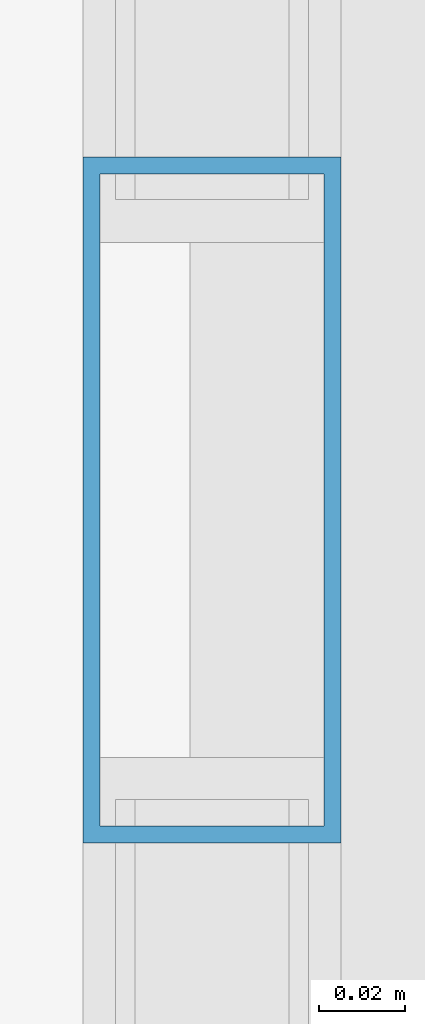
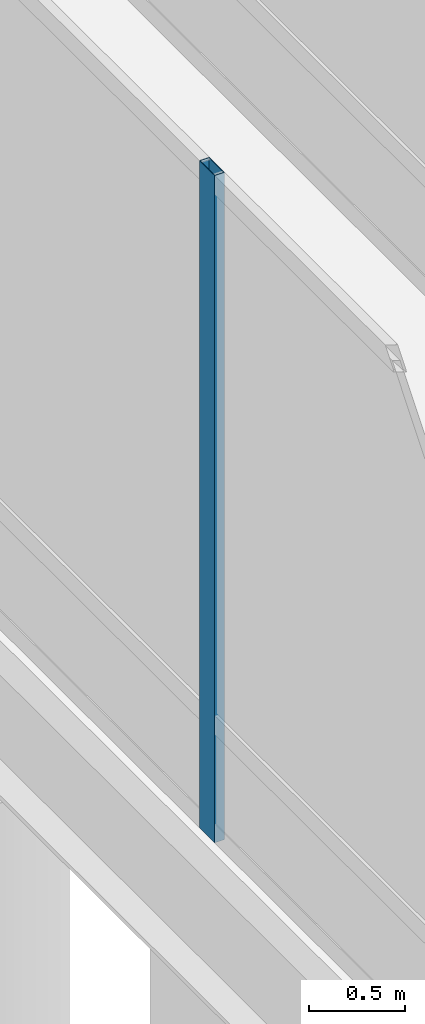
# One storey, part 36 of 192: 1 member, 1 element without a shape of its own.
"""IFC4 building model written with IfcOpenShell, lengths in metres."""

from ifc_helpers import new_model, si_unit, direction, frame, origin, origin_2d, place, context, subcontext, project, spatial, hollow_rectangle, extrude, material, material_profile, profile_set, type_object, element, aggregate, save


model = new_model("IFC4")

# Units and contexts
model_context = context("Model", 3, precision=1e-05, world=origin(), true_north=direction((0.0, 1.0)))
body_context = subcontext(model_context, "Body", "Model", "MODEL_VIEW")
ifc_project = project(units=[si_unit("LENGTHUNIT", "METRE"), si_unit("AREAUNIT", "SQUARE_METRE"), si_unit("VOLUMEUNIT", "CUBIC_METRE"), si_unit("PLANEANGLEUNIT", "RADIAN"), si_unit("MASSUNIT", "GRAM", prefix="KILO")], contexts=[model_context])

# Site, building, storey
site_placement = place(None, origin())
site = spatial("IfcSite", under=ifc_project, at=site_placement, CompositionType="ELEMENT")
building_placement = place(site_placement, origin())
building = spatial("IfcBuilding", under=site, at=building_placement, Name="Cendralis Lancet Convention Centre", CompositionType="ELEMENT")
storey_placement = place(building_placement, origin())
storey = spatial("IfcBuildingStorey", under=building, at=storey_placement, Name="L00", CompositionType="ELEMENT", Elevation=0.0)

# Curtain wall, member
ifc_material = material(Name="Anodised bronze architectural aluminium", Category="aluminium")
curtain_wall_type = type_object("IfcCurtainWallType", Name="ARC-CW-BR01", PredefinedType="USERDEFINED", material=ifc_material)
curtain_wall_placement = place(storey_placement, origin())
curtain_wall = element("IfcCurtainWall", 1, at=curtain_wall_placement, inside=storey, type_object=curtain_wall_type, Name="L00 Curtain Wall CW-BR1 #207", ObjectType="CURTAIN WALL", PredefinedType="USERDEFINED")
ifc_material_profile = material_profile(ifc_material, hollow_rectangle(XDim=0.06005859375, YDim=0.159912109375, WallThickness=0.00390625, at=origin_2d()), Name="AL-MULL 60x160x4.0")
ifc_profile_set = profile_set([ifc_material_profile], Name="Anodised bronze architectural aluminium")
member_type = type_object("IfcMemberType", Name="ARC-CW-ML01", PredefinedType="MULLION", material=ifc_profile_set)
member_placement = place(storey_placement, frame((16.280029296875, 43.199951171875, 0.0), z_axis=(0.0, 0.0, 1.0), x_axis=(1.0, 0.0, 0.0)))
member = element("IfcMember", 2, at=member_placement, type_object=member_type, Name="Mullion CW2-CW-BR1-L00-207-M1", PredefinedType="MULLION", context=body_context, shape_type="SweptSolid", body=[
    extrude(hollow_rectangle(XDim=0.06005859375, YDim=0.159912109375, WallThickness=0.00390625, at=origin_2d()), origin(), (0.0, 0.0, 1.0), 4.25),
])
aggregate(curtain_wall, [member])

save(model, "model.ifc")
